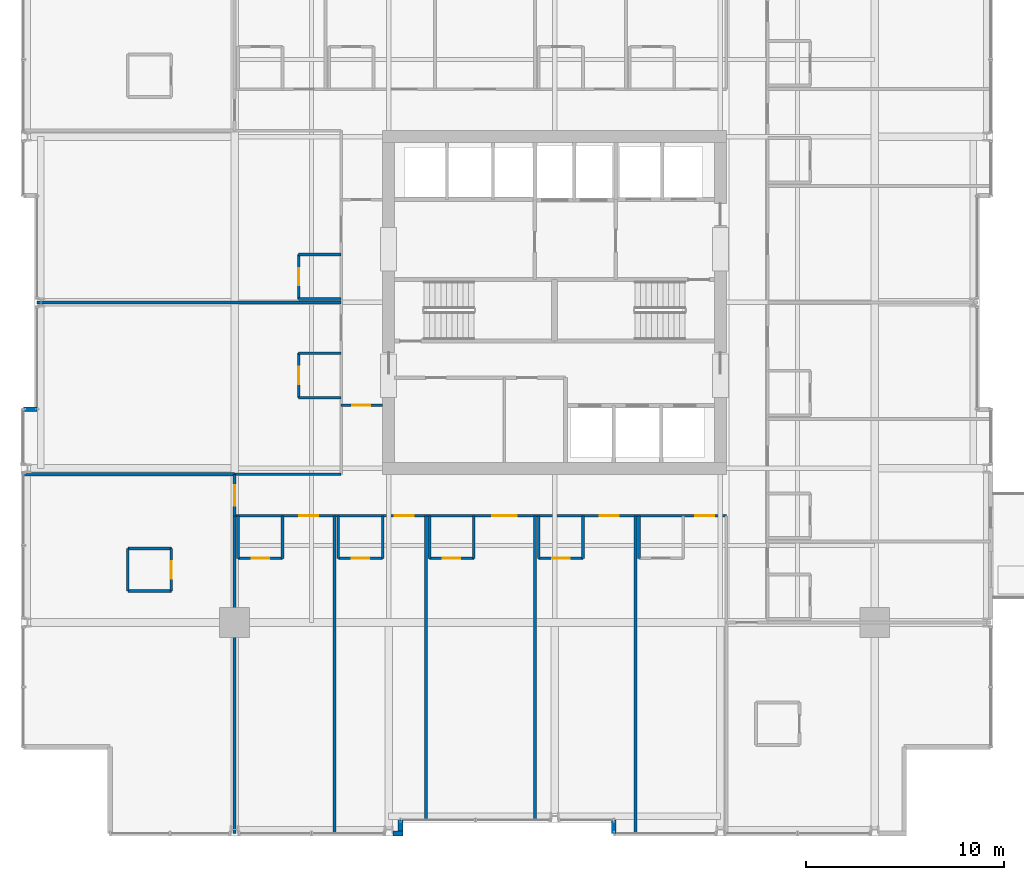
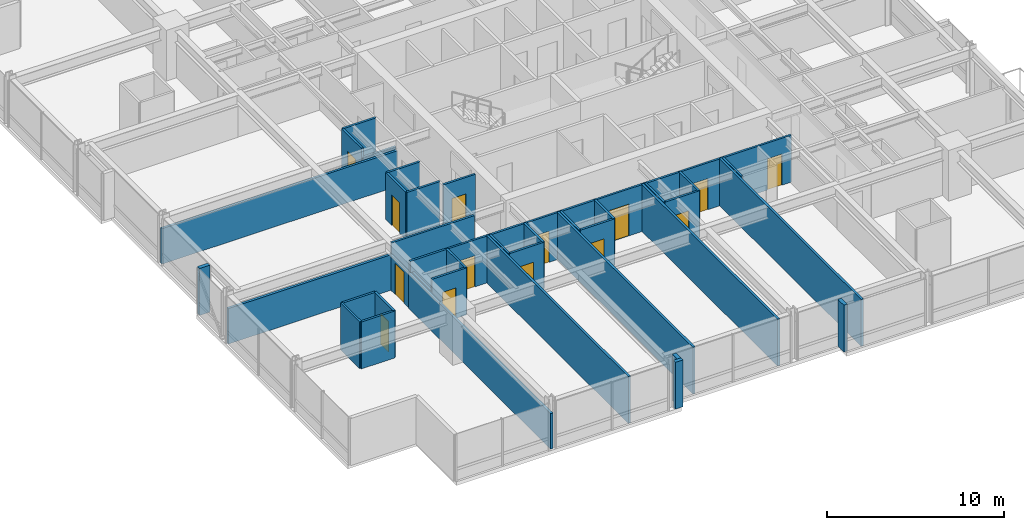
# One storey, part 28 of 35: 38 walls, 14 doors, 14 openings.
"""IFC4 building model written with IfcOpenShell, lengths in metres."""

from ifc_helpers import new_model, si_unit, direction, frame, frame_2d, origin, place, context, subcontext, project, spatial, rectangle, extrude, material, layer, layer_set, type_object, element, fill, save


model = new_model("IFC4")

# Units and contexts
model_context = context("Model", 3, precision=1e-05, world=origin(), true_north=direction((0.0, 1.0)))
body_context = subcontext(model_context, "Body", "Model", "MODEL_VIEW")
ifc_project = project(units=[si_unit("LENGTHUNIT", "METRE"), si_unit("AREAUNIT", "SQUARE_METRE"), si_unit("VOLUMEUNIT", "CUBIC_METRE"), si_unit("PLANEANGLEUNIT", "RADIAN"), si_unit("MASSUNIT", "GRAM", prefix="KILO")], contexts=[model_context])

# Site, building, storey
site_placement = place(None, origin())
site = spatial("IfcSite", under=ifc_project, at=site_placement, CompositionType="ELEMENT")
building_placement = place(site_placement, origin())
building = spatial("IfcBuilding", under=site, at=building_placement, Name="Drelvath Grand Hotel", CompositionType="ELEMENT")
storey_placement = place(building_placement, frame((0.0, 0.0, 98.800048828125)))
storey = spatial("IfcBuildingStorey", under=building, at=storey_placement, Name="L24", CompositionType="ELEMENT", Elevation=98.800048828125)

# Wall, opening, door
ifc_material_1 = material(Name="Gypsum Fireboard Partition")
ifc_layer_1 = layer(ifc_material_1, 0.135009765625)
ifc_layer_set_1 = layer_set([ifc_layer_1], Name="Gypsum Fireboard Partition")
wall_type_1 = type_object("IfcWallType", Name="Corridor Fire Barrier Wall 135", PredefinedType="PARTITIONING", material=ifc_layer_set_1)
wall_1_placement = place(storey_placement, frame((-10.800048828125, 21.800048828125, 0.0), z_axis=(0.0, 0.0, 1.0), x_axis=(1.0, 0.0, 0.0)))
wall_1 = element("IfcWall", 1, at=wall_1_placement, inside=storey, type_object=wall_type_1, Name="L24 West Foyer South Wall", PredefinedType="PARTITIONING", context=body_context, shape_type="SweptSolid", body=[
    extrude(rectangle(XDim=2.10009765625, YDim=0.135009765625, at=frame_2d((1.050048828125, 0.0))), origin(), (0.0, 0.0, 1.0), 3.239990234375),
])
opening_1_placement = place(wall_1_placement, frame((0.550048828125, 0.0, 0.0)))
opening_1 = element("IfcOpeningElement", 2, at=opening_1_placement, cuts=wall_1, Name="Opening D-T2G1-017", PredefinedType="OPENING", context=body_context, shape_type="SweptSolid", body=[
    extrude(rectangle(XDim=0.919921875, YDim=2.10009765625, at=frame_2d((0.4599609375, 1.050048828125))), frame((0.0, 0.077392578125, 0.0), z_axis=(0.0, -1.0, 0.0), x_axis=(1.0, 0.0, 0.0)), (0.0, 0.0, 1.0), 0.155029296875),
])
ifc_material_2 = material(Name="Painted Steel S275", Category="steel")
door_type_1 = type_object("IfcDoorType", Name="Staff Utility Door 920x2100", OperationType="NOTDEFINED", PredefinedType="DOOR", material=ifc_material_2)
door_1_placement = place(opening_1_placement, origin())
door_1 = element("IfcDoor", 3, at=door_1_placement, inside=storey, type_object=door_type_1, Name="L24 West Linen Closet Door", OperationType="SINGLE_SWING_RIGHT", OverallHeight=2.10009765625, OverallWidth=0.919921875, PredefinedType="DOOR", context=body_context, shape_type="SweptSolid", body=[
    extrude(rectangle(XDim=0.919921875, YDim=2.10009765625, at=frame_2d((0.4599609375, 1.050048828125))), frame((0.0, 0.02490234375, 0.0), z_axis=(0.0, -1.0, 0.0), x_axis=(1.0, 0.0, 0.0)), (0.0, 0.0, 1.0), 0.050048828125),
])
fill(opening_1, door_1)

# Wall
wall_2_placement = place(storey_placement, frame((-16.199951171875, 18.300048828125, 0.0), z_axis=(0.0, 0.0, 1.0), x_axis=(1.0, 0.0, 0.0)))
element("IfcWall", 4, at=wall_2_placement, inside=storey, type_object=wall_type_1, Name="L24 SW Stub North Wall", PredefinedType="PARTITIONING", context=body_context, shape_type="SweptSolid", body=[
    extrude(rectangle(XDim=5.39990234375, YDim=0.135009765625, at=frame_2d((2.699951171875, 0.0))), origin(), (0.0, 0.0, 1.0), 3.239990234375),
])

# Wall, openings, doors
wall_3_placement = place(storey_placement, frame((-16.199951171875, 16.199951171875, 0.0), z_axis=(0.0, 0.0, 1.0), x_axis=(1.0, 0.0, 0.0)))
wall_3 = element("IfcWall", 5, at=wall_3_placement, inside=storey, type_object=wall_type_1, Name="L24 South Stub Corridor Wall", PredefinedType="PARTITIONING", context=body_context, shape_type="SweptSolid", body=[
    extrude(rectangle(XDim=24.89990234375, YDim=0.135009765625, at=frame_2d((12.449951171875, 0.0))), origin(), (0.0, 0.0, 1.0), 3.239990234375),
])
opening_2_placement = place(wall_3_placement, frame((3.27099609375, 0.0, 0.0)))
opening_2 = element("IfcOpeningElement", 6, at=opening_2_placement, cuts=wall_3, Name="Opening D-T2G1-028", PredefinedType="OPENING", context=body_context, shape_type="SweptSolid", body=[
    extrude(rectangle(XDim=0.9599609375, YDim=2.14990234375, at=frame_2d((0.47998046875, 1.074951171875))), frame((0.0, 0.077392578125, 0.0), z_axis=(0.0, -1.0, 0.0), x_axis=(1.0, 0.0, 0.0)), (0.0, 0.0, 1.0), 0.155029296875),
])
opening_3_placement = place(wall_3_placement, frame((8.11279296875, 0.0, 0.0)))
opening_3 = element("IfcOpeningElement", 7, at=opening_3_placement, cuts=wall_3, Name="Opening D-T2G1-030", PredefinedType="OPENING", context=body_context, shape_type="SweptSolid", body=[
    extrude(rectangle(XDim=0.9599609375, YDim=2.14990234375, at=frame_2d((0.47998046875, 1.074951171875))), frame((0.0, 0.077392578125, 0.0), z_axis=(0.0, -1.0, 0.0), x_axis=(1.0, 0.0, 0.0)), (0.0, 0.0, 1.0), 0.155029296875),
])
opening_4_placement = place(wall_3_placement, frame((13.034912109375, 0.0, 0.0)))
opening_4 = element("IfcOpeningElement", 8, at=opening_4_placement, cuts=wall_3, Name="Opening D-T2G1-032", PredefinedType="OPENING", context=body_context, shape_type="SweptSolid", body=[
    extrude(rectangle(XDim=1.260009765625, YDim=2.199951171875, at=frame_2d((0.6298828125, 1.10009765625))), frame((0.0, 0.077392578125, 0.0), z_axis=(0.0, -1.0, 0.0), x_axis=(1.0, 0.0, 0.0)), (0.0, 0.0, 1.0), 0.155029296875),
])
opening_5_placement = place(wall_3_placement, frame((18.48779296875, 0.0, 0.0)))
opening_5 = element("IfcOpeningElement", 9, at=opening_5_placement, cuts=wall_3, Name="Opening D-T2G1-034", PredefinedType="OPENING", context=body_context, shape_type="SweptSolid", body=[
    extrude(rectangle(XDim=0.9599609375, YDim=2.14990234375, at=frame_2d((0.47998046875, 1.074951171875))), frame((0.0, 0.077392578125, 0.0), z_axis=(0.0, -1.0, 0.0), x_axis=(1.0, 0.0, 0.0)), (0.0, 0.0, 1.0), 0.155029296875),
])
opening_6_placement = place(wall_3_placement, frame((23.329345703125, 0.0, 0.0)))
opening_6 = element("IfcOpeningElement", 10, at=opening_6_placement, cuts=wall_3, Name="Opening D-T2G1-036", PredefinedType="OPENING", context=body_context, shape_type="SweptSolid", body=[
    extrude(rectangle(XDim=0.9599609375, YDim=2.14990234375, at=frame_2d((0.47998046875, 1.074951171875))), frame((0.0, 0.077392578125, 0.0), z_axis=(0.0, -1.0, 0.0), x_axis=(1.0, 0.0, 0.0)), (0.0, 0.0, 1.0), 0.155029296875),
])
ifc_material_3 = material(Name="Hardwood Walnut Timber", Category="wood")
door_type_2 = type_object("IfcDoorType", Name="Guestroom Entrance Fire Door 960x2150", OperationType="NOTDEFINED", PredefinedType="DOOR", material=ifc_material_3)
door_2_placement = place(opening_2_placement, origin())
door_2 = element("IfcDoor", 11, at=door_2_placement, inside=storey, type_object=door_type_2, Name="L24 Deluxe Guest Room Entry Door", OperationType="SINGLE_SWING_LEFT", OverallHeight=2.14990234375, OverallWidth=0.9599609375, PredefinedType="DOOR", context=body_context, shape_type="SweptSolid", body=[
    extrude(rectangle(XDim=0.9599609375, YDim=2.14990234375, at=frame_2d((0.47998046875, 1.074951171875))), frame((0.0, 0.02490234375, 0.0), z_axis=(0.0, -1.0, 0.0), x_axis=(1.0, 0.0, 0.0)), (0.0, 0.0, 1.0), 0.050048828125),
])
fill(opening_2, door_2)
door_3_placement = place(opening_3_placement, origin())
door_3 = element("IfcDoor", 12, at=door_3_placement, inside=storey, type_object=door_type_2, Name="L24 Deluxe Guest Room Entry Door", OperationType="SINGLE_SWING_LEFT", OverallHeight=2.14990234375, OverallWidth=0.9599609375, PredefinedType="DOOR", context=body_context, shape_type="SweptSolid", body=[
    extrude(rectangle(XDim=0.9599609375, YDim=2.14990234375, at=frame_2d((0.47998046875, 1.074951171875))), frame((0.0, 0.02490234375, 0.0), z_axis=(0.0, -1.0, 0.0), x_axis=(1.0, 0.0, 0.0)), (0.0, 0.0, 1.0), 0.050048828125),
])
fill(opening_3, door_3)
door_4_placement = place(opening_5_placement, origin())
door_4 = element("IfcDoor", 13, at=door_4_placement, inside=storey, type_object=door_type_2, Name="L24 Deluxe Guest Room Entry Door", OperationType="SINGLE_SWING_LEFT", OverallHeight=2.14990234375, OverallWidth=0.9599609375, PredefinedType="DOOR", context=body_context, shape_type="SweptSolid", body=[
    extrude(rectangle(XDim=0.9599609375, YDim=2.14990234375, at=frame_2d((0.47998046875, 1.074951171875))), frame((0.0, 0.02490234375, 0.0), z_axis=(0.0, -1.0, 0.0), x_axis=(1.0, 0.0, 0.0)), (0.0, 0.0, 1.0), 0.050048828125),
])
fill(opening_5, door_4)
door_5_placement = place(opening_6_placement, origin())
door_5 = element("IfcDoor", 14, at=door_5_placement, inside=storey, type_object=door_type_2, Name="L24 Deluxe Guest Room Entry Door", OperationType="SINGLE_SWING_LEFT", OverallHeight=2.14990234375, OverallWidth=0.9599609375, PredefinedType="DOOR", context=body_context, shape_type="SweptSolid", body=[
    extrude(rectangle(XDim=0.9599609375, YDim=2.14990234375, at=frame_2d((0.47998046875, 1.074951171875))), frame((0.0, 0.02490234375, 0.0), z_axis=(0.0, -1.0, 0.0), x_axis=(1.0, 0.0, 0.0)), (0.0, 0.0, 1.0), 0.050048828125),
])
fill(opening_6, door_5)
door_type_3 = type_object("IfcDoorType", Name="Suite Entrance Fire Door 1260x2200", OperationType="NOTDEFINED", PredefinedType="DOOR", material=ifc_material_3)
door_6_placement = place(opening_4_placement, origin())
door_6 = element("IfcDoor", 15, at=door_6_placement, inside=storey, type_object=door_type_3, Name="L24 Corner Suite Entry Door", OperationType="SINGLE_SWING_LEFT", OverallHeight=2.199951171875, OverallWidth=1.260009765625, PredefinedType="DOOR", context=body_context, shape_type="SweptSolid", body=[
    extrude(rectangle(XDim=1.260009765625, YDim=2.199951171875, at=frame_2d((0.6298828125, 1.10009765625))), frame((0.0, 0.02490234375, 0.0), z_axis=(0.0, -1.0, 0.0), x_axis=(1.0, 0.0, 0.0)), (0.0, 0.0, 1.0), 0.050048828125),
])
fill(opening_4, door_6)

# Wall, opening, door
wall_4_placement = place(storey_placement, frame((-16.199951171875, 16.199951171875, 0.0), z_axis=(0.0, 0.0, 1.0), x_axis=(0.0, 1.0, 0.0)))
wall_4 = element("IfcWall", 16, at=wall_4_placement, inside=storey, type_object=wall_type_1, Name="L24 South Stub West End", PredefinedType="PARTITIONING", context=body_context, shape_type="SweptSolid", body=[
    extrude(rectangle(XDim=2.10009765625, YDim=0.135009765625, at=frame_2d((1.050048828125, 0.0))), origin(), (0.0, 0.0, 1.0), 2.45166015625),
])
opening_7_placement = place(wall_4_placement, frame((0.52001953125, 0.0, 0.0)))
opening_7 = element("IfcOpeningElement", 17, at=opening_7_placement, cuts=wall_4, Name="Opening D-T2G1-020", PredefinedType="OPENING", context=body_context, shape_type="SweptSolid", body=[
    extrude(rectangle(XDim=1.02001953125, YDim=2.14990234375, at=frame_2d((0.510009765625, 1.074951171875))), frame((0.0, 0.077392578125, 0.0), z_axis=(0.0, -1.0, 0.0), x_axis=(1.0, 0.0, 0.0)), (0.0, 0.0, 1.0), 0.155029296875),
])
door_type_4 = type_object("IfcDoorType", Name="Amenity Meeting Fire Door 1020x2150", OperationType="NOTDEFINED", PredefinedType="DOOR", material=ifc_material_3)
door_7_placement = place(opening_7_placement, origin())
door_7 = element("IfcDoor", 18, at=door_7_placement, inside=storey, type_object=door_type_4, Name="L24 Corner Suite Entry Door", OperationType="SINGLE_SWING_LEFT", OverallHeight=2.14990234375, OverallWidth=1.02001953125, PredefinedType="DOOR", context=body_context, shape_type="SweptSolid", body=[
    extrude(rectangle(XDim=1.02001953125, YDim=2.14990234375, at=frame_2d((0.510009765625, 1.074951171875))), frame((0.0, 0.02490234375, 0.0), z_axis=(0.0, -1.0, 0.0), x_axis=(1.0, 0.0, 0.0)), (0.0, 0.0, 1.0), 0.050048828125),
])
fill(opening_7, door_7)

# Walls
ifc_material_4 = material(Name="Moisture-Resistant Gypsum Board")
ifc_layer_2 = layer(ifc_material_4, 0.139892578125)
ifc_layer_set_2 = layer_set([ifc_layer_2], Name="Moisture-Resistant Gypsum Board")
wall_type_2 = type_object("IfcWallType", Name="En-Suite Plumbing Wall 140", PredefinedType="PLUMBINGWALL", material=ifc_layer_set_2)
for number, where, z_axis, x_axis, name in (
    (19, (-21.60009765625, 12.39990234375, 0.0), (0.0, 0.0, 1.0), (1.0, 0.0, 0.0), "L24 Corner En-Suite South"),
    (20, (-21.60009765625, 14.550048828125, 0.0), (0.0, 0.0, 1.0), (1.0, 0.0, 0.0), "L24 Corner En-Suite North"),
):
    element("IfcWall", number, at=place(storey_placement, frame(where, z_axis=z_axis, x_axis=x_axis)), inside=storey, type_object=wall_type_2, Name=name, PredefinedType="PLUMBINGWALL", context=body_context, shape_type="SweptSolid", body=[
        extrude(rectangle(XDim=2.2001953125, YDim=0.139892578125, at=frame_2d((1.10009765625, 0.0))), origin(), (0.0, 0.0, 1.0), 3.239990234375),
    ])
wall_5_placement = place(storey_placement, frame((-21.60009765625, 12.39990234375, 0.0), z_axis=(0.0, 0.0, 1.0), x_axis=(0.0, 1.0, 0.0)))
element("IfcWall", 21, at=wall_5_placement, inside=storey, type_object=wall_type_2, Name="L24 Corner En-Suite West", PredefinedType="PLUMBINGWALL", context=body_context, shape_type="SweptSolid", body=[
    extrude(rectangle(XDim=2.150146484375, YDim=0.139892578125, at=frame_2d((1.0751953125, 0.0))), origin(), (0.0, 0.0, 1.0), 3.239990234375),
])

# Wall, opening, door
wall_6_placement = place(storey_placement, frame((-19.39990234375, 12.39990234375, 0.0), z_axis=(0.0, 0.0, 1.0), x_axis=(0.0, 1.0, 0.0)))
wall_6 = element("IfcWall", 22, at=wall_6_placement, inside=storey, type_object=wall_type_2, Name="L24 Corner En-Suite East", PredefinedType="PLUMBINGWALL", context=body_context, shape_type="SweptSolid", body=[
    extrude(rectangle(XDim=2.150146484375, YDim=0.139892578125, at=frame_2d((1.0751953125, 0.0))), origin(), (0.0, 0.0, 1.0), 3.239990234375),
])
opening_8_placement = place(wall_6_placement, frame((0.6201171875, 0.0, 0.0)))
opening_8 = element("IfcOpeningElement", 23, at=opening_8_placement, cuts=wall_6, Name="Opening D-T2G1-019", PredefinedType="OPENING", context=body_context, shape_type="SweptSolid", body=[
    extrude(rectangle(XDim=0.8798828125, YDim=2.10009765625, at=frame_2d((0.43994140625, 1.050048828125))), frame((0.0, 0.079833984375, 0.0), z_axis=(0.0, -1.0, 0.0), x_axis=(1.0, 0.0, 0.0)), (0.0, 0.0, 1.0), 0.159912109375),
])
door_type_5 = type_object("IfcDoorType", Name="En-Suite Bathroom Door 880x2100", OperationType="NOTDEFINED", PredefinedType="DOOR", material=ifc_material_3)
door_8_placement = place(opening_8_placement, origin())
door_8 = element("IfcDoor", 24, at=door_8_placement, inside=storey, type_object=door_type_5, Name="L24 Corner En-Suite Door", OperationType="SINGLE_SWING_RIGHT", OverallHeight=2.10009765625, OverallWidth=0.8798828125, PredefinedType="DOOR", context=body_context, shape_type="SweptSolid", body=[
    extrude(rectangle(XDim=0.8798828125, YDim=2.10009765625, at=frame_2d((0.43994140625, 1.050048828125))), frame((0.0, 0.02490234375, 0.0), z_axis=(0.0, -1.0, 0.0), x_axis=(1.0, 0.0, 0.0)), (0.0, 0.0, 1.0), 0.050048828125),
])
fill(opening_8, door_8)

# Walls
wall_7_placement = place(storey_placement, frame((-16.02001953125, 16.199951171875, 0.0), z_axis=(0.0, 0.0, 1.0), x_axis=(0.0, -1.0, 0.0)))
element("IfcWall", 25, at=wall_7_placement, inside=storey, type_object=wall_type_2, Name="L24 En-Suite Left Wall", PredefinedType="PLUMBINGWALL", context=body_context, shape_type="SweptSolid", body=[
    extrude(rectangle(XDim=2.14990234375, YDim=0.139892578125, at=frame_2d((1.074951171875, 0.0))), origin(), (0.0, 0.0, 1.0), 2.45166015625),
])
wall_8_placement = place(storey_placement, frame((-13.77001953125, 16.199951171875, 0.0), z_axis=(0.0, 0.0, 1.0), x_axis=(0.0, -1.0, 0.0)))
element("IfcWall", 26, at=wall_8_placement, inside=storey, type_object=wall_type_2, Name="L24 En-Suite Right Wall", PredefinedType="PLUMBINGWALL", context=body_context, shape_type="SweptSolid", body=[
    extrude(rectangle(XDim=2.14990234375, YDim=0.139892578125, at=frame_2d((1.074951171875, 0.0))), origin(), (0.0, 0.0, 1.0), 3.239990234375),
])

# Wall, opening, door
wall_9_placement = place(storey_placement, frame((-16.02001953125, 14.050048828125, 0.0), z_axis=(0.0, 0.0, 1.0), x_axis=(1.0, 0.0, 0.0)))
wall_9 = element("IfcWall", 27, at=wall_9_placement, inside=storey, type_object=wall_type_2, Name="L24 En-Suite Front Wall", PredefinedType="PLUMBINGWALL", context=body_context, shape_type="SweptSolid", body=[
    extrude(rectangle(XDim=2.25, YDim=0.139892578125, at=frame_2d((1.125, 0.0))), origin(), (0.0, 0.0, 1.0), 3.239990234375),
])
opening_9_placement = place(wall_9_placement, frame((0.68505859375, 0.0, 0.0)))
opening_9 = element("IfcOpeningElement", 28, at=opening_9_placement, cuts=wall_9, Name="Opening D-T2G1-027", PredefinedType="OPENING", context=body_context, shape_type="SweptSolid", body=[
    extrude(rectangle(XDim=0.8798828125, YDim=2.10009765625, at=frame_2d((0.43994140625, 1.050048828125))), frame((0.0, 0.079833984375, 0.0), z_axis=(0.0, -1.0, 0.0), x_axis=(1.0, 0.0, 0.0)), (0.0, 0.0, 1.0), 0.159912109375),
])
door_9_placement = place(opening_9_placement, origin())
door_9 = element("IfcDoor", 29, at=door_9_placement, inside=storey, type_object=door_type_5, Name="L24 En-Suite Bathroom Door", OperationType="SINGLE_SWING_RIGHT", OverallHeight=2.10009765625, OverallWidth=0.8798828125, PredefinedType="DOOR", context=body_context, shape_type="SweptSolid", body=[
    extrude(rectangle(XDim=0.8798828125, YDim=2.10009765625, at=frame_2d((0.43994140625, 1.050048828125))), frame((0.0, 0.02490234375, 0.0), z_axis=(0.0, -1.0, 0.0), x_axis=(1.0, 0.0, 0.0)), (0.0, 0.0, 1.0), 0.050048828125),
])
fill(opening_9, door_9)

# Walls
for number, where, z_axis, x_axis, name in (
    (30, (-10.94775390625, 16.199951171875, 0.0), (0.0, 0.0, 1.0), (0.0, -1.0, 0.0), "L24 En-Suite Left Wall"),
    (31, (-8.69775390625, 16.199951171875, 0.0), (0.0, 0.0, 1.0), (0.0, -1.0, 0.0), "L24 En-Suite Right Wall"),
):
    element("IfcWall", number, at=place(storey_placement, frame(where, z_axis=z_axis, x_axis=x_axis)), inside=storey, type_object=wall_type_2, Name=name, PredefinedType="PLUMBINGWALL", context=body_context, shape_type="SweptSolid", body=[
        extrude(rectangle(XDim=2.14990234375, YDim=0.139892578125, at=frame_2d((1.074951171875, 0.0))), origin(), (0.0, 0.0, 1.0), 3.239990234375),
    ])

# Wall, opening, door
wall_10_placement = place(storey_placement, frame((-10.94775390625, 14.050048828125, 0.0), z_axis=(0.0, 0.0, 1.0), x_axis=(1.0, 0.0, 0.0)))
wall_10 = element("IfcWall", 32, at=wall_10_placement, inside=storey, type_object=wall_type_2, Name="L24 En-Suite Front Wall", PredefinedType="PLUMBINGWALL", context=body_context, shape_type="SweptSolid", body=[
    extrude(rectangle(XDim=2.25, YDim=0.139892578125, at=frame_2d((1.125, 0.0))), origin(), (0.0, 0.0, 1.0), 3.239990234375),
])
opening_10_placement = place(wall_10_placement, frame((0.68505859375, 0.0, 0.0)))
opening_10 = element("IfcOpeningElement", 33, at=opening_10_placement, cuts=wall_10, Name="Opening D-T2G1-029", PredefinedType="OPENING", context=body_context, shape_type="SweptSolid", body=[
    extrude(rectangle(XDim=0.8798828125, YDim=2.10009765625, at=frame_2d((0.43994140625, 1.050048828125))), frame((0.0, 0.079833984375, 0.0), z_axis=(0.0, -1.0, 0.0), x_axis=(1.0, 0.0, 0.0)), (0.0, 0.0, 1.0), 0.159912109375),
])
door_10_placement = place(opening_10_placement, origin())
door_10 = element("IfcDoor", 34, at=door_10_placement, inside=storey, type_object=door_type_5, Name="L24 En-Suite Bathroom Door", OperationType="SINGLE_SWING_RIGHT", OverallHeight=2.10009765625, OverallWidth=0.8798828125, PredefinedType="DOOR", context=body_context, shape_type="SweptSolid", body=[
    extrude(rectangle(XDim=0.8798828125, YDim=2.10009765625, at=frame_2d((0.43994140625, 1.050048828125))), frame((0.0, 0.02490234375, 0.0), z_axis=(0.0, -1.0, 0.0), x_axis=(1.0, 0.0, 0.0)), (0.0, 0.0, 1.0), 0.050048828125),
])
fill(opening_10, door_10)

# Walls
for number, where, z_axis, x_axis, name in (
    (35, (-6.336669921875, 16.199951171875, 0.0), (0.0, 0.0, 1.0), (0.0, -1.0, 0.0), "L24 En-Suite Left Wall"),
    (36, (-4.086669921875, 16.199951171875, 0.0), (0.0, 0.0, 1.0), (0.0, -1.0, 0.0), "L24 En-Suite Right Wall"),
):
    element("IfcWall", number, at=place(storey_placement, frame(where, z_axis=z_axis, x_axis=x_axis)), inside=storey, type_object=wall_type_2, Name=name, PredefinedType="PLUMBINGWALL", context=body_context, shape_type="SweptSolid", body=[
        extrude(rectangle(XDim=2.14990234375, YDim=0.139892578125, at=frame_2d((1.074951171875, 0.0))), origin(), (0.0, 0.0, 1.0), 3.239990234375),
    ])

# Wall, opening, door
wall_11_placement = place(storey_placement, frame((-6.336669921875, 14.050048828125, 0.0), z_axis=(0.0, 0.0, 1.0), x_axis=(1.0, 0.0, 0.0)))
wall_11 = element("IfcWall", 37, at=wall_11_placement, inside=storey, type_object=wall_type_2, Name="L24 En-Suite Front Wall", PredefinedType="PLUMBINGWALL", context=body_context, shape_type="SweptSolid", body=[
    extrude(rectangle(XDim=2.25, YDim=0.139892578125, at=frame_2d((1.125, 0.0))), origin(), (0.0, 0.0, 1.0), 3.239990234375),
])
opening_11_placement = place(wall_11_placement, frame((0.68505859375, 0.0, 0.0)))
opening_11 = element("IfcOpeningElement", 38, at=opening_11_placement, cuts=wall_11, Name="Opening D-T2G1-031", PredefinedType="OPENING", context=body_context, shape_type="SweptSolid", body=[
    extrude(rectangle(XDim=0.8798828125, YDim=2.10009765625, at=frame_2d((0.43994140625, 1.050048828125))), frame((0.0, 0.079833984375, 0.0), z_axis=(0.0, -1.0, 0.0), x_axis=(1.0, 0.0, 0.0)), (0.0, 0.0, 1.0), 0.159912109375),
])
door_11_placement = place(opening_11_placement, origin())
door_11 = element("IfcDoor", 39, at=door_11_placement, inside=storey, type_object=door_type_5, Name="L24 En-Suite Bathroom Door", OperationType="SINGLE_SWING_RIGHT", OverallHeight=2.10009765625, OverallWidth=0.8798828125, PredefinedType="DOOR", context=body_context, shape_type="SweptSolid", body=[
    extrude(rectangle(XDim=0.8798828125, YDim=2.10009765625, at=frame_2d((0.43994140625, 1.050048828125))), frame((0.0, 0.02490234375, 0.0), z_axis=(0.0, -1.0, 0.0), x_axis=(1.0, 0.0, 0.0)), (0.0, 0.0, 1.0), 0.050048828125),
])
fill(opening_11, door_11)

# Walls
for number, where, z_axis, x_axis, name in (
    (40, (-0.80322265625, 16.199951171875, 0.0), (0.0, 0.0, 1.0), (0.0, -1.0, 0.0), "L24 En-Suite Left Wall"),
    (41, (1.44677734375, 16.199951171875, 0.0), (0.0, 0.0, 1.0), (0.0, -1.0, 0.0), "L24 En-Suite Right Wall"),
):
    element("IfcWall", number, at=place(storey_placement, frame(where, z_axis=z_axis, x_axis=x_axis)), inside=storey, type_object=wall_type_2, Name=name, PredefinedType="PLUMBINGWALL", context=body_context, shape_type="SweptSolid", body=[
        extrude(rectangle(XDim=2.14990234375, YDim=0.139892578125, at=frame_2d((1.074951171875, 0.0))), origin(), (0.0, 0.0, 1.0), 3.239990234375),
    ])

# Wall, opening, door
wall_12_placement = place(storey_placement, frame((-0.80322265625, 14.050048828125, 0.0), z_axis=(0.0, 0.0, 1.0), x_axis=(1.0, 0.0, 0.0)))
wall_12 = element("IfcWall", 42, at=wall_12_placement, inside=storey, type_object=wall_type_2, Name="L24 En-Suite Front Wall", PredefinedType="PLUMBINGWALL", context=body_context, shape_type="SweptSolid", body=[
    extrude(rectangle(XDim=2.25, YDim=0.139892578125, at=frame_2d((1.125, 0.0))), origin(), (0.0, 0.0, 1.0), 3.239990234375),
])
opening_12_placement = place(wall_12_placement, frame((0.68505859375, 0.0, 0.0)))
opening_12 = element("IfcOpeningElement", 43, at=opening_12_placement, cuts=wall_12, Name="Opening D-T2G1-033", PredefinedType="OPENING", context=body_context, shape_type="SweptSolid", body=[
    extrude(rectangle(XDim=0.8798828125, YDim=2.10009765625, at=frame_2d((0.43994140625, 1.050048828125))), frame((0.0, 0.079833984375, 0.0), z_axis=(0.0, -1.0, 0.0), x_axis=(1.0, 0.0, 0.0)), (0.0, 0.0, 1.0), 0.159912109375),
])
door_12_placement = place(opening_12_placement, origin())
door_12 = element("IfcDoor", 44, at=door_12_placement, inside=storey, type_object=door_type_5, Name="L24 En-Suite Bathroom Door", OperationType="SINGLE_SWING_RIGHT", OverallHeight=2.10009765625, OverallWidth=0.8798828125, PredefinedType="DOOR", context=body_context, shape_type="SweptSolid", body=[
    extrude(rectangle(XDim=0.8798828125, YDim=2.10009765625, at=frame_2d((0.43994140625, 1.050048828125))), frame((0.0, 0.02490234375, 0.0), z_axis=(0.0, -1.0, 0.0), x_axis=(1.0, 0.0, 0.0)), (0.0, 0.0, 1.0), 0.050048828125),
])
fill(opening_12, door_12)

# Walls
for number, where, z_axis, x_axis, name in (
    (45, (4.268798828125, 16.199951171875, 0.0), (0.0, 0.0, 1.0), (0.0, -1.0, 0.0), "L24 En-Suite Left Wall"),
    (46, (-10.800048828125, 22.179931640625, 0.0), (0.0, 0.0, 1.0), (-1.0, 0.0, 0.0), "L24 En-Suite Left Wall"),
    (47, (-10.800048828125, 24.429931640625, 0.0), (0.0, 0.0, 1.0), (-1.0, 0.0, 0.0), "L24 En-Suite Right Wall"),
):
    element("IfcWall", number, at=place(storey_placement, frame(where, z_axis=z_axis, x_axis=x_axis)), inside=storey, type_object=wall_type_2, Name=name, PredefinedType="PLUMBINGWALL", context=body_context, shape_type="SweptSolid", body=[
        extrude(rectangle(XDim=2.14990234375, YDim=0.139892578125, at=frame_2d((1.074951171875, 0.0))), origin(), (0.0, 0.0, 1.0), 3.239990234375),
    ])

# Wall, opening, door
wall_13_placement = place(storey_placement, frame((-12.949951171875, 22.179931640625, 0.0), z_axis=(0.0, 0.0, 1.0), x_axis=(0.0, 1.0, 0.0)))
wall_13 = element("IfcWall", 48, at=wall_13_placement, inside=storey, type_object=wall_type_2, Name="L24 En-Suite Front Wall", PredefinedType="PLUMBINGWALL", context=body_context, shape_type="SweptSolid", body=[
    extrude(rectangle(XDim=2.25, YDim=0.139892578125, at=frame_2d((1.125, 0.0))), origin(), (0.0, 0.0, 1.0), 3.239990234375),
])
opening_13_placement = place(wall_13_placement, frame((0.68505859375, 0.0, 0.0)))
opening_13 = element("IfcOpeningElement", 49, at=opening_13_placement, cuts=wall_13, Name="Opening D-T2G1-057", PredefinedType="OPENING", context=body_context, shape_type="SweptSolid", body=[
    extrude(rectangle(XDim=0.8798828125, YDim=2.10009765625, at=frame_2d((0.43994140625, 1.050048828125))), frame((0.0, 0.079833984375, 0.0), z_axis=(0.0, -1.0, 0.0), x_axis=(1.0, 0.0, 0.0)), (0.0, 0.0, 1.0), 0.159912109375),
])
door_13_placement = place(opening_13_placement, origin())
door_13 = element("IfcDoor", 50, at=door_13_placement, inside=storey, type_object=door_type_5, Name="L24 En-Suite Bathroom Door", OperationType="SINGLE_SWING_RIGHT", OverallHeight=2.10009765625, OverallWidth=0.8798828125, PredefinedType="DOOR", context=body_context, shape_type="SweptSolid", body=[
    extrude(rectangle(XDim=0.8798828125, YDim=2.10009765625, at=frame_2d((0.43994140625, 1.050048828125))), frame((0.0, 0.02490234375, 0.0), z_axis=(0.0, -1.0, 0.0), x_axis=(1.0, 0.0, 0.0)), (0.0, 0.0, 1.0), 0.050048828125),
])
fill(opening_13, door_13)

# Walls
wall_14_placement = place(storey_placement, frame((-10.800048828125, 27.179931640625, 0.0), z_axis=(0.0, 0.0, 1.0), x_axis=(-1.0, 0.0, 0.0)))
element("IfcWall", 51, at=wall_14_placement, inside=storey, type_object=wall_type_2, Name="L24 En-Suite Left Wall", PredefinedType="PLUMBINGWALL", context=body_context, shape_type="SweptSolid", body=[
    extrude(rectangle(XDim=2.14990234375, YDim=0.139892578125, at=frame_2d((1.074951171875, 0.0))), origin(), (0.0, 0.0, 1.0), 2.617431640625),
])
wall_15_placement = place(storey_placement, frame((-10.800048828125, 29.429931640625, 0.0), z_axis=(0.0, 0.0, 1.0), x_axis=(-1.0, 0.0, 0.0)))
element("IfcWall", 52, at=wall_15_placement, inside=storey, type_object=wall_type_2, Name="L24 En-Suite Right Wall", PredefinedType="PLUMBINGWALL", context=body_context, shape_type="SweptSolid", body=[
    extrude(rectangle(XDim=2.14990234375, YDim=0.139892578125, at=frame_2d((1.074951171875, 0.0))), origin(), (0.0, 0.0, 1.0), 3.239990234375),
])

# Wall, opening, door
wall_16_placement = place(storey_placement, frame((-12.949951171875, 27.179931640625, 0.0), z_axis=(0.0, 0.0, 1.0), x_axis=(0.0, 1.0, 0.0)))
wall_16 = element("IfcWall", 53, at=wall_16_placement, inside=storey, type_object=wall_type_2, Name="L24 En-Suite Front Wall", PredefinedType="PLUMBINGWALL", context=body_context, shape_type="SweptSolid", body=[
    extrude(rectangle(XDim=2.25, YDim=0.139892578125, at=frame_2d((1.125, 0.0))), origin(), (0.0, 0.0, 1.0), 3.239990234375),
])
opening_14_placement = place(wall_16_placement, frame((0.68505859375, 0.0, 0.0)))
opening_14 = element("IfcOpeningElement", 54, at=opening_14_placement, cuts=wall_16, Name="Opening D-T2G1-059", PredefinedType="OPENING", context=body_context, shape_type="SweptSolid", body=[
    extrude(rectangle(XDim=0.8798828125, YDim=2.10009765625, at=frame_2d((0.43994140625, 1.050048828125))), frame((0.0, 0.079833984375, 0.0), z_axis=(0.0, -1.0, 0.0), x_axis=(1.0, 0.0, 0.0)), (0.0, 0.0, 1.0), 0.159912109375),
])
door_14_placement = place(opening_14_placement, origin())
door_14 = element("IfcDoor", 55, at=door_14_placement, inside=storey, type_object=door_type_5, Name="L24 En-Suite Bathroom Door", OperationType="SINGLE_SWING_RIGHT", OverallHeight=2.10009765625, OverallWidth=0.8798828125, PredefinedType="DOOR", context=body_context, shape_type="SweptSolid", body=[
    extrude(rectangle(XDim=0.8798828125, YDim=2.10009765625, at=frame_2d((0.43994140625, 1.050048828125))), frame((0.0, 0.02490234375, 0.0), z_axis=(0.0, -1.0, 0.0), x_axis=(1.0, 0.0, 0.0)), (0.0, 0.0, 1.0), 0.050048828125),
])
fill(opening_14, door_14)

# Walls
ifc_material_5 = material(Name="Gypsum Acoustic Partition")
ifc_layer_3 = layer(ifc_material_5, 0.14990234375)
ifc_layer_set_3 = layer_set([ifc_layer_3], Name="Gypsum Acoustic Partition")
wall_type_3 = type_object("IfcWallType", Name="Guestroom Demising Wall 150", PredefinedType="PARTITIONING", material=ifc_layer_set_3)
wall_17_placement = place(storey_placement, frame((-11.127685546875, 0.1201171875, 0.0), z_axis=(0.0, 0.0, 1.0), x_axis=(0.0, 1.0, 0.0)))
element("IfcWall", 56, at=wall_17_placement, inside=storey, type_object=wall_type_3, Name="L24 South Demising 1", PredefinedType="PARTITIONING", context=body_context, shape_type="SweptSolid", body=[
    extrude(rectangle(XDim=16.079833984375, YDim=0.14990234375, at=frame_2d((8.0400390625, 0.0))), origin(), (0.0, 0.0, 1.0), 3.239990234375),
])
for number, where, z_axis, x_axis, name in (
    (57, (-6.5166015625, 0.800048828125, 0.0), (0.0, 0.0, 1.0), (0.0, 1.0, 0.0), "L24 South Demising 2"),
    (58, (-0.9833984375, 0.800048828125, 0.0), (0.0, 0.0, 1.0), (0.0, 1.0, 0.0), "L24 South Demising 3"),
):
    element("IfcWall", number, at=place(storey_placement, frame(where, z_axis=z_axis, x_axis=x_axis)), inside=storey, type_object=wall_type_3, Name=name, PredefinedType="PARTITIONING", context=body_context, shape_type="SweptSolid", body=[
        extrude(rectangle(XDim=15.39990234375, YDim=0.14990234375, at=frame_2d((7.699951171875, 0.0))), origin(), (0.0, 0.0, 1.0), 3.239990234375),
    ])
wall_18_placement = place(storey_placement, frame((4.0888671875, 0.1201171875, 0.0), z_axis=(0.0, 0.0, 1.0), x_axis=(0.0, 1.0, 0.0)))
element("IfcWall", 59, at=wall_18_placement, inside=storey, type_object=wall_type_3, Name="L24 South Demising 4", PredefinedType="PARTITIONING", context=body_context, shape_type="SweptSolid", body=[
    extrude(rectangle(XDim=16.079833984375, YDim=0.14990234375, at=frame_2d((8.0400390625, 0.0))), origin(), (0.0, 0.0, 1.0), 3.239990234375),
])
wall_19_placement = place(storey_placement, frame((-26.199951171875, 27.0, 0.0), z_axis=(0.0, 0.0, 1.0), x_axis=(1.0, 0.0, 0.0)))
element("IfcWall", 60, at=wall_19_placement, inside=storey, type_object=wall_type_3, Name="L24 West Suite Demising Wall", PredefinedType="PARTITIONING", context=body_context, shape_type="SweptSolid", body=[
    extrude(rectangle(XDim=15.39990234375, YDim=0.14990234375, at=frame_2d((7.699951171875, 0.0))), origin(), (0.0, 0.0, 1.0), 2.45166015625),
])
ifc_layer_4 = layer(ifc_material_5, 0.1650390625)
ifc_layer_set_4 = layer_set([ifc_layer_4], Name="Gypsum Acoustic Partition")
wall_type_4 = type_object("IfcWallType", Name="Suite Demising Wall 165", PredefinedType="PARTITIONING", material=ifc_layer_set_4)
wall_20_placement = place(storey_placement, frame((-16.199951171875, 0.1201171875, 0.0), z_axis=(0.0, 0.0, 1.0), x_axis=(0.0, 1.0, 0.0)))
element("IfcWall", 61, at=wall_20_placement, inside=storey, type_object=wall_type_4, Name="L24 SW Suite East Wall", PredefinedType="PARTITIONING", context=body_context, shape_type="SweptSolid", body=[
    extrude(rectangle(XDim=16.079833984375, YDim=0.1650390625, at=frame_2d((8.0400390625, 0.0))), origin(), (0.0, 0.0, 1.0), 2.45166015625),
])
wall_21_placement = place(storey_placement, frame((-26.8798828125, 18.300048828125, 0.0), z_axis=(0.0, 0.0, 1.0), x_axis=(1.0, 0.0, 0.0)))
element("IfcWall", 62, at=wall_21_placement, inside=storey, type_object=wall_type_4, Name="L24 SW Suite North Wall", PredefinedType="PARTITIONING", context=body_context, shape_type="SweptSolid", body=[
    extrude(rectangle(XDim=10.679931640625, YDim=0.1650390625, at=frame_2d((5.33984375, 0.0))), origin(), (0.0, 0.0, 1.0), 2.45166015625),
])
ifc_material_6 = material(Name="Pale-Metal Insulated Aluminium Spandrel Assembly", Category="aluminium")
ifc_layer_5 = layer(ifc_material_6, 0.239990234375)
ifc_layer_set_5 = layer_set([ifc_layer_5], Name="Pale-Metal Insulated Aluminium Spandrel Assembly")
wall_type_5 = type_object("IfcWallType", Name="Tower Insulated Metal Spandrel Closure Wall 240", PredefinedType="STANDARD", material=ifc_layer_set_5)
wall_22_placement = place(storey_placement, frame((-7.679931640625, 0.1201171875, 0.0), z_axis=(0.0, 0.0, 1.0), x_axis=(-1.0, 0.0, 0.0)))
element("IfcWall", 63, at=wall_22_placement, inside=storey, type_object=wall_type_5, Name="L24 Corner Pier Spandrel Wall SW3", PredefinedType="STANDARD", context=body_context, shape_type="SweptSolid", body=[
    extrude(rectangle(XDim=0.50048828125, YDim=0.239990234375, at=frame_2d((0.250244140625, 0.0))), origin(), (0.0, 0.0, 1.0), 3.239990234375),
])
for number, where, z_axis, x_axis, name in (
    (64, (-26.8798828125, 21.60009765625, 0.0), (0.0, 0.0, 1.0), (1.0, 0.0, 0.0), "L24 Notched Corner Return Spandrel Wall RW1"),
    (65, (3.0, 0.1201171875, 0.0), (0.0, 0.0, 1.0), (0.0, 1.0, 0.0), "L24 Notched Corner Return Spandrel Wall RS1"),
):
    element("IfcWall", number, at=place(storey_placement, frame(where, z_axis=z_axis, x_axis=x_axis)), inside=storey, type_object=wall_type_5, Name=name, PredefinedType="STANDARD", context=body_context, shape_type="SweptSolid", body=[
        extrude(rectangle(XDim=0.679931640625, YDim=0.239990234375, at=frame_2d((0.33984375, 0.0))), origin(), (0.0, 0.0, 1.0), 3.239990234375),
    ])
wall_23_placement = place(storey_placement, frame((-7.800048828125, 0.800048828125, 0.0), z_axis=(0.0, 0.0, 1.0), x_axis=(0.0, -1.0, 0.0)))
element("IfcWall", 66, at=wall_23_placement, inside=storey, type_object=wall_type_5, Name="L24 Notched Corner Return Spandrel Wall RS2", PredefinedType="STANDARD", context=body_context, shape_type="SweptSolid", body=[
    extrude(rectangle(XDim=0.56005859375, YDim=0.239990234375, at=frame_2d((0.280029296875, 0.0))), origin(), (0.0, 0.0, 1.0), 3.239990234375),
])

save(model, "model.ifc")
